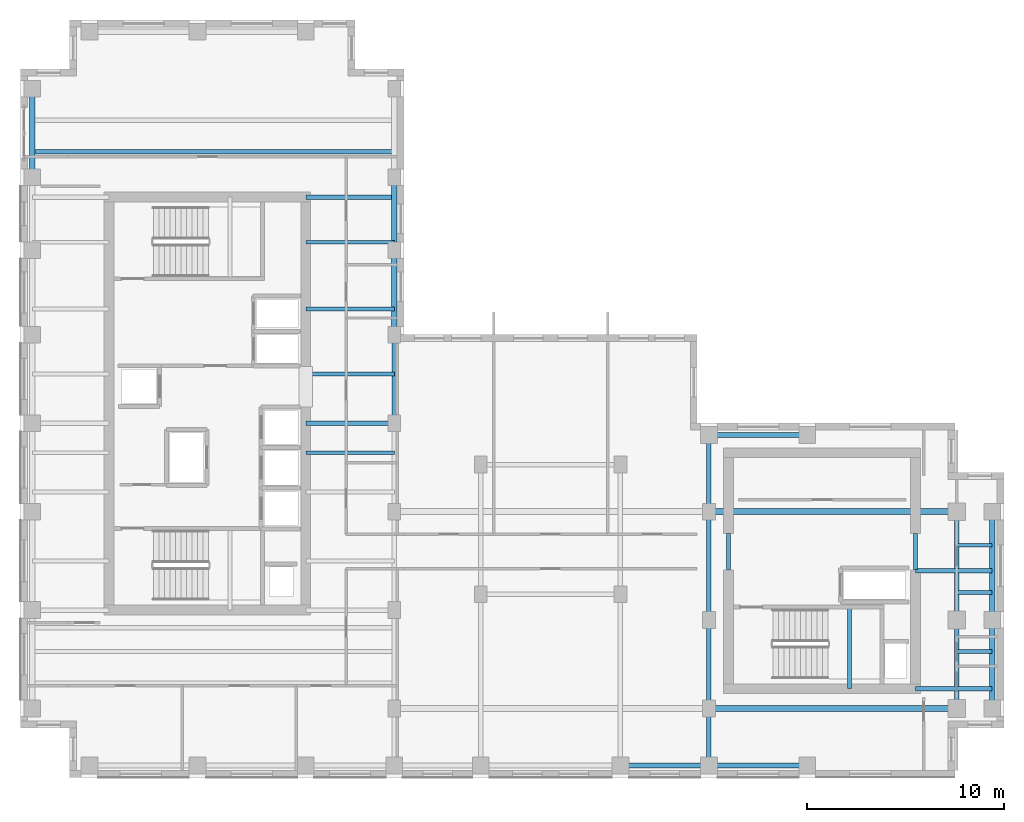
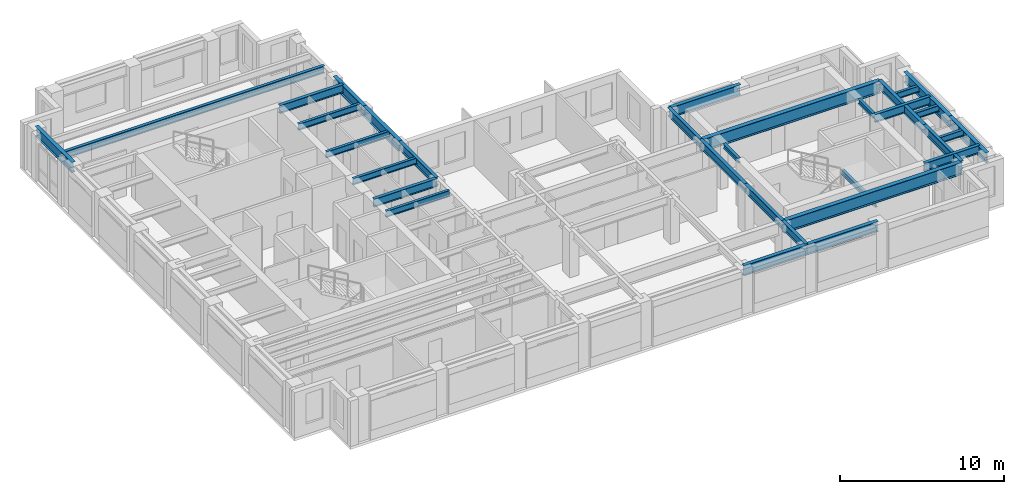
# One storey, part 3 of 12: 32 beams.
"""IFC4 building model written with IfcOpenShell, lengths in metres."""

from ifc_helpers import new_model, si_unit, direction, frame, origin, origin_2d, place, context, subcontext, project, spatial, i_section, extrude, source, transform, mapped, material, material_profile, profile_set, type_object, element, save


model = new_model("IFC4")

# Units and contexts
model_context = context("Model", 3, precision=1e-05, world=origin(), true_north=direction((0.0, 1.0)))
body_context = subcontext(model_context, "Body", "Model", "MODEL_VIEW")
ifc_project = project(units=[si_unit("LENGTHUNIT", "METRE"), si_unit("AREAUNIT", "SQUARE_METRE"), si_unit("VOLUMEUNIT", "CUBIC_METRE"), si_unit("PLANEANGLEUNIT", "RADIAN"), si_unit("MASSUNIT", "GRAM", prefix="KILO")], contexts=[model_context])

# Site, building, storey
site_placement = place(None, origin())
site = spatial("IfcSite", under=ifc_project, at=site_placement, CompositionType="ELEMENT")
building_placement = place(site_placement, origin())
building = spatial("IfcBuilding", under=site, at=building_placement, Name="Kharzan Plaza Tower", CompositionType="ELEMENT")
storey_placement = place(building_placement, frame((0.0, 0.0, 255.60009765625)))
storey = spatial("IfcBuildingStorey", under=building, at=storey_placement, Name="L69", CompositionType="ELEMENT", Elevation=255.60009765625)

# Beams
ifc_material = material(Name="Steel S355", Category="steel")
ifc_material_profile_1 = material_profile(ifc_material, i_section(OverallWidth=0.205078125, OverallDepth=0.35400390625, WebThickness=0.009521484375, FlangeThickness=0.016845703125, at=origin_2d()), Name="W360x79")
ifc_profile_set_1 = profile_set([ifc_material_profile_1], Name="Steel S355")
beam_type_1 = type_object("IfcBeamType", Name="BM-LNT360", PredefinedType="LINTEL", material=ifc_profile_set_1)
shared_shape_1 = source(origin(), body_context, "Body", "SweptSolid", [
    extrude(i_section(OverallWidth=0.205078125, OverallDepth=0.35400390625, WebThickness=0.009521484375, FlangeThickness=0.016845703125, at=origin_2d()), origin(), (0.0, 0.0, 1.0), 1.849853515625),
])
for number, where, z_axis, x_axis, name in (
    (1, (45.5, 10.550048828125, 3.222900390625), (0.0, 1.0, 0.0), (-1.0, 0.0, 0.0), "L69 CORE-B coupling lintel LN1-WE"),
    (2, (36.0, 10.550048828125, 3.222900390625), (0.0, 1.0, 0.0), (-1.0, 0.0, 0.0), "L69 CORE-B coupling lintel LN1-WW"),
):
    element("IfcBeam", number, at=place(storey_placement, frame(where, z_axis=z_axis, x_axis=x_axis)), inside=storey, type_object=beam_type_1, Name=name, PredefinedType="LINTEL", context=body_context, shape_type="MappedRepresentation", body=[
        mapped(shared_shape_1, transform((0.0, 0.0, 0.0), x_axis=(1.0, 0.0, 0.0), y_axis=(0.0, 1.0, 0.0), z_axis=(0.0, 0.0, 1.0))),
    ])
shared_shape_2 = source(origin(), body_context, "Body", "SweptSolid", [
    extrude(i_section(OverallWidth=0.205078125, OverallDepth=0.35400390625, WebThickness=0.009521484375, FlangeThickness=0.016845703125, at=origin_2d()), origin(), (0.0, 0.0, 1.0), 4.155029296875),
])
beam_1_placement = place(storey_placement, frame((42.14990234375, 4.5, 1.4228515625), z_axis=(0.0, 1.0, 0.0), x_axis=(-1.0, 0.0, 0.0)))
element("IfcBeam", 3, at=beam_1_placement, inside=storey, type_object=beam_type_1, Name="L69 Stair ST-3 Half-Landing Beam", PredefinedType="LINTEL", context=body_context, shape_type="MappedRepresentation", body=[
    mapped(shared_shape_2, transform((0.0, 0.0, 0.0), x_axis=(1.0, 0.0, 0.0), y_axis=(0.0, 1.0, 0.0), z_axis=(0.0, 0.0, 1.0))),
])
ifc_material_profile_2 = material_profile(ifc_material, i_section(OverallWidth=0.304931640625, OverallDepth=0.9189453125, WebThickness=0.017333984375, FlangeThickness=0.02783203125, at=origin_2d()), Name="W920x253")
ifc_profile_set_2 = profile_set([ifc_material_profile_2], Name="Steel S355")
beam_type_2 = type_object("IfcBeamType", Name="BM-FG920B", PredefinedType="BEAM", material=ifc_profile_set_2)
shared_shape_3 = source(origin(), body_context, "Body", "SweptSolid", [
    extrude(i_section(OverallWidth=0.304931640625, OverallDepth=0.9189453125, WebThickness=0.017333984375, FlangeThickness=0.02783203125, at=origin_2d()), origin(), (0.0, 0.0, 1.0), 12.60009765625),
])
for number, where, z_axis, x_axis, name in (
    (4, (35.0, 3.5, 2.9404296875), (1.0, 0.0, 0.0), (0.0, 1.0, 0.0), "L69 Primary Floor Girder"),
    (5, (35.0, 13.5, 2.9404296875), (1.0, 0.0, 0.0), (0.0, 1.0, 0.0), "L69 Primary Floor Girder"),
):
    element("IfcBeam", number, at=place(storey_placement, frame(where, z_axis=z_axis, x_axis=x_axis)), inside=storey, type_object=beam_type_2, Name=name, PredefinedType="BEAM", context=body_context, shape_type="MappedRepresentation", body=[
        mapped(shared_shape_3, transform((0.0, 0.0, 0.0), x_axis=(1.0, 0.0, 0.0), y_axis=(0.0, 1.0, 0.0), z_axis=(0.0, 0.0, 1.0))),
    ])
ifc_material_profile_3 = material_profile(ifc_material, i_section(OverallWidth=0.2099609375, OverallDepth=0.537109375, WebThickness=0.010986328125, FlangeThickness=0.017333984375, at=origin_2d()), Name="W530x101")
ifc_profile_set_3 = profile_set([ifc_material_profile_3], Name="Steel S355")
beam_type_3 = type_object("IfcBeamType", Name="BM-JST530B", PredefinedType="JOIST", material=ifc_profile_set_3)
shared_shape_4 = source(origin(), body_context, "Body", "SweptSolid", [
    extrude(i_section(OverallWidth=0.2099609375, OverallDepth=0.537109375, WebThickness=0.010986328125, FlangeThickness=0.017333984375, at=origin_2d()), origin(), (0.0, 0.0, 1.0), 18.39990234375),
])
beam_2_placement = place(storey_placement, frame((0.60009765625, 31.800048828125, 3.13134765625), z_axis=(1.0, 0.0, 0.0), x_axis=(0.0, 1.0, 0.0)))
element("IfcBeam", 6, at=beam_2_placement, inside=storey, type_object=beam_type_3, Name="L69 Wing A Composite Joist 04", PredefinedType="JOIST", context=body_context, shape_type="MappedRepresentation", body=[
    mapped(shared_shape_4, transform((0.0, 0.0, 0.0), x_axis=(1.0, 0.0, 0.0), y_axis=(0.0, 1.0, 0.0), z_axis=(0.0, 0.0, 1.0))),
])
ifc_material_profile_4 = material_profile(ifc_material, i_section(OverallWidth=0.194091796875, OverallDepth=0.468994140625, WebThickness=0.011474609375, FlangeThickness=0.0205078125, at=origin_2d()), Name="W460x106")
ifc_profile_set_4 = profile_set([ifc_material_profile_4], Name="Steel S355")
beam_type_4 = type_object("IfcBeamType", Name="BM-JST460", PredefinedType="JOIST", material=ifc_profile_set_4)
shared_shape_5 = source(origin(), body_context, "Body", "SweptSolid", [
    extrude(i_section(OverallWidth=0.194091796875, OverallDepth=0.468994140625, WebThickness=0.011474609375, FlangeThickness=0.0205078125, at=origin_2d()), origin(), (0.0, 0.0, 1.0), 4.5),
])
for number, where, z_axis, x_axis, name in (
    (7, (14.5, 16.5, 3.165283203125), (1.0, 0.0, 0.0), (0.0, 1.0, 0.0), "L69 Wing A East Infill Joist 3"),
    (8, (14.5, 20.5, 3.165283203125), (1.0, 0.0, 0.0), (0.0, 1.0, 0.0), "L69 Wing A East Infill Joist 4"),
    (9, (14.5, 23.800048828125, 3.165283203125), (1.0, 0.0, 0.0), (0.0, 1.0, 0.0), "L69 Wing A East Infill Joist 5"),
    (10, (14.5, 27.199951171875, 3.165283203125), (1.0, 0.0, 0.0), (0.0, 1.0, 0.0), "L69 Wing A East Infill Joist 6"),
):
    element("IfcBeam", number, at=place(storey_placement, frame(where, z_axis=z_axis, x_axis=x_axis)), inside=storey, type_object=beam_type_4, Name=name, PredefinedType="JOIST", context=body_context, shape_type="MappedRepresentation", body=[
        mapped(shared_shape_5, transform((0.0, 0.0, 0.0), x_axis=(1.0, 0.0, 0.0), y_axis=(0.0, 1.0, 0.0), z_axis=(0.0, 0.0, 1.0))),
    ])
ifc_material_profile_5 = material_profile(ifc_material, i_section(OverallWidth=0.22900390625, OverallDepth=0.612060546875, WebThickness=0.011962890625, FlangeThickness=0.01953125, at=origin_2d()), Name="W610x125")
ifc_profile_set_5 = profile_set([ifc_material_profile_5], Name="Steel S355")
beam_type_5 = type_object("IfcBeamType", Name="BM-FG610B", PredefinedType="BEAM", material=ifc_profile_set_5)
shared_shape_6 = source(origin(), body_context, "Body", "SweptSolid", [
    extrude(i_section(OverallWidth=0.22900390625, OverallDepth=0.612060546875, WebThickness=0.011962890625, FlangeThickness=0.01953125, at=origin_2d()), origin(), (0.0, 0.0, 1.0), 4.5),
])
for number, where, z_axis, x_axis, name in (
    (11, (14.5, 18.0, 3.093994140625), (1.0, 0.0, 0.0), (0.0, 1.0, 0.0), "L69 Core-A East Floor Girder 2"),
    (12, (14.5, 29.5, 3.093994140625), (1.0, 0.0, 0.0), (0.0, 1.0, 0.0), "L69 Core-A East Floor Girder 3"),
    (13, (19.0, 18.0, 3.093994140625), (0.0, 1.0, 0.0), (-1.0, 0.0, 0.0), "L69 Interior Frame Girder"),
    (14, (35.0, 3.5, 3.093994140625), (0.0, 1.0, 0.0), (-1.0, 0.0, 0.0), "L69 Interior Frame Girder"),
    (15, (47.60009765625, 3.5, 3.093994140625), (0.0, 1.0, 0.0), (-1.0, 0.0, 0.0), "L69 Interior Frame Girder"),
):
    element("IfcBeam", number, at=place(storey_placement, frame(where, z_axis=z_axis, x_axis=x_axis)), inside=storey, type_object=beam_type_5, Name=name, PredefinedType="BEAM", context=body_context, shape_type="MappedRepresentation", body=[
        mapped(shared_shape_6, transform((0.0, 0.0, 0.0), x_axis=(1.0, 0.0, 0.0), y_axis=(0.0, 1.0, 0.0), z_axis=(0.0, 0.0, 1.0))),
    ])
shared_shape_7 = source(origin(), body_context, "Body", "SweptSolid", [
    extrude(i_section(OverallWidth=0.22900390625, OverallDepth=0.612060546875, WebThickness=0.011962890625, FlangeThickness=0.01953125, at=origin_2d()), origin(), (0.0, 0.0, 1.0), 3.89990234375),
])
for number, where, z_axis, x_axis, name in (
    (16, (45.5, 4.5, 3.093994140625), (1.0, 0.0, 0.0), (0.0, 1.0, 0.0), "L69 Core-B East Floor Girder 1"),
    (17, (45.5, 10.5, 3.093994140625), (1.0, 0.0, 0.0), (0.0, 1.0, 0.0), "L69 Core-B East Floor Girder 2"),
    (18, (35.0, 13.5, 3.093994140625), (0.0, 1.0, 0.0), (-1.0, 0.0, 0.0), "L69 Interior Frame Girder"),
):
    element("IfcBeam", number, at=place(storey_placement, frame(where, z_axis=z_axis, x_axis=x_axis)), inside=storey, type_object=beam_type_5, Name=name, PredefinedType="BEAM", context=body_context, shape_type="MappedRepresentation", body=[
        mapped(shared_shape_7, transform((0.0, 0.0, 0.0), x_axis=(1.0, 0.0, 0.0), y_axis=(0.0, 1.0, 0.0), z_axis=(0.0, 0.0, 1.0))),
    ])
shared_shape_8 = source(origin(), body_context, "Body", "SweptSolid", [
    extrude(i_section(OverallWidth=0.22900390625, OverallDepth=0.612060546875, WebThickness=0.011962890625, FlangeThickness=0.01953125, at=origin_2d()), origin(), (0.0, 0.0, 1.0), 5.5),
])
for number, where, z_axis, x_axis, name in (
    (19, (35.0, 8.0, 3.093994140625), (0.0, 1.0, 0.0), (-1.0, 0.0, 0.0), "L69 Interior Frame Girder"),
    (20, (47.60009765625, 8.0, 3.093994140625), (0.0, 1.0, 0.0), (-1.0, 0.0, 0.0), "L69 Interior Frame Girder"),
):
    element("IfcBeam", number, at=place(storey_placement, frame(where, z_axis=z_axis, x_axis=x_axis)), inside=storey, type_object=beam_type_5, Name=name, PredefinedType="BEAM", context=body_context, shape_type="MappedRepresentation", body=[
        mapped(shared_shape_8, transform((0.0, 0.0, 0.0), x_axis=(1.0, 0.0, 0.0), y_axis=(0.0, 1.0, 0.0), z_axis=(0.0, 0.0, 1.0))),
    ])
shared_shape_9 = source(origin(), body_context, "Body", "SweptSolid", [
    extrude(i_section(OverallWidth=0.22900390625, OverallDepth=0.612060546875, WebThickness=0.011962890625, FlangeThickness=0.01953125, at=origin_2d()), origin(), (0.0, 0.0, 1.0), 2.89990234375),
])
beam_3_placement = place(storey_placement, frame((35.0, 0.60009765625, 3.093994140625), z_axis=(0.0, 1.0, 0.0), x_axis=(-1.0, 0.0, 0.0)))
element("IfcBeam", 21, at=beam_3_placement, inside=storey, type_object=beam_type_5, Name="L69 Interior Frame Girder", PredefinedType="BEAM", context=body_context, shape_type="MappedRepresentation", body=[
    mapped(shared_shape_9, transform((0.0, 0.0, 0.0), x_axis=(1.0, 0.0, 0.0), y_axis=(0.0, 1.0, 0.0), z_axis=(0.0, 0.0, 1.0))),
])
shared_shape_10 = source(origin(), body_context, "Body", "SweptSolid", [
    extrude(i_section(OverallWidth=0.194091796875, OverallDepth=0.468994140625, WebThickness=0.011474609375, FlangeThickness=0.0205078125, at=origin_2d()), origin(), (0.0, 0.0, 1.0), 1.7998046875),
])
for number, where, z_axis, x_axis, name in (
    (22, (47.60009765625, 6.39990234375, 3.165283203125), (1.0, 0.0, 0.0), (0.0, 1.0, 0.0), "L69 Wing B Composite Joist 02"),
    (23, (47.60009765625, 9.39990234375, 3.165283203125), (1.0, 0.0, 0.0), (0.0, 1.0, 0.0), "L69 Wing B Composite Joist 03"),
    (24, (47.60009765625, 11.800048828125, 3.165283203125), (1.0, 0.0, 0.0), (0.0, 1.0, 0.0), "L69 Wing B Composite Joist 04"),
):
    element("IfcBeam", number, at=place(storey_placement, frame(where, z_axis=z_axis, x_axis=x_axis)), inside=storey, type_object=beam_type_4, Name=name, PredefinedType="JOIST", context=body_context, shape_type="MappedRepresentation", body=[
        mapped(shared_shape_10, transform((0.0, 0.0, 0.0), x_axis=(1.0, 0.0, 0.0), y_axis=(0.0, 1.0, 0.0), z_axis=(0.0, 0.0, 1.0))),
    ])
ifc_material_profile_6 = material_profile(ifc_material, i_section(OverallWidth=0.26708984375, OverallDepth=0.76611328125, WebThickness=0.014892578125, FlangeThickness=0.023681640625, at=origin_2d()), Name="W760x185")
ifc_profile_set_6 = profile_set([ifc_material_profile_6], Name="Steel S355")
beam_type_6 = type_object("IfcBeamType", Name="BM-SP760B", PredefinedType="SPANDREL", material=ifc_profile_set_6)
shared_shape_11 = source(origin(), body_context, "Body", "SweptSolid", [
    extrude(i_section(OverallWidth=0.26708984375, OverallDepth=0.76611328125, WebThickness=0.014892578125, FlangeThickness=0.023681640625, at=origin_2d()), origin(), (0.0, 0.0, 1.0), 5.0),
])
for number, where, z_axis, x_axis, name in (
    (25, (35.0, 0.60009765625, 3.016845703125), (1.0, 0.0, 0.0), (0.0, 1.0, 0.0), "L69 Perimeter Tube Spandrel"),
    (26, (35.0, 17.39990234375, 3.016845703125), (1.0, 0.0, 0.0), (0.0, 1.0, 0.0), "L69 Perimeter Tube Spandrel"),
):
    element("IfcBeam", number, at=place(storey_placement, frame(where, z_axis=z_axis, x_axis=x_axis)), inside=storey, type_object=beam_type_6, Name=name, PredefinedType="SPANDREL", context=body_context, shape_type="MappedRepresentation", body=[
        mapped(shared_shape_11, transform((0.0, 0.0, 0.0), x_axis=(1.0, 0.0, 0.0), y_axis=(0.0, 1.0, 0.0), z_axis=(0.0, 0.0, 1.0))),
    ])
shared_shape_12 = source(origin(), body_context, "Body", "SweptSolid", [
    extrude(i_section(OverallWidth=0.26708984375, OverallDepth=0.76611328125, WebThickness=0.014892578125, FlangeThickness=0.023681640625, at=origin_2d()), origin(), (0.0, 0.0, 1.0), 4.5),
])
for number, where, z_axis, x_axis, name in (
    (27, (0.60009765625, 30.5, 3.016845703125), (0.0, 1.0, 0.0), (-1.0, 0.0, 0.0), "L69 Perimeter Tube Spandrel"),
    (28, (49.39990234375, 3.5, 3.016845703125), (0.0, 1.0, 0.0), (-1.0, 0.0, 0.0), "L69 Perimeter Tube Spandrel"),
    (29, (30.5, 0.60009765625, 3.016845703125), (1.0, 0.0, 0.0), (0.0, 1.0, 0.0), "L69 Perimeter Tube Spandrel"),
):
    element("IfcBeam", number, at=place(storey_placement, frame(where, z_axis=z_axis, x_axis=x_axis)), inside=storey, type_object=beam_type_6, Name=name, PredefinedType="SPANDREL", context=body_context, shape_type="MappedRepresentation", body=[
        mapped(shared_shape_12, transform((0.0, 0.0, 0.0), x_axis=(1.0, 0.0, 0.0), y_axis=(0.0, 1.0, 0.0), z_axis=(0.0, 0.0, 1.0))),
    ])
shared_shape_13 = source(origin(), body_context, "Body", "SweptSolid", [
    extrude(i_section(OverallWidth=0.26708984375, OverallDepth=0.76611328125, WebThickness=0.014892578125, FlangeThickness=0.023681640625, at=origin_2d()), origin(), (0.0, 0.0, 1.0), 4.300048828125),
])
beam_4_placement = place(storey_placement, frame((19.0, 22.5, 3.016845703125), z_axis=(0.0, 1.0, 0.0), x_axis=(-1.0, 0.0, 0.0)))
element("IfcBeam", 30, at=beam_4_placement, inside=storey, type_object=beam_type_6, Name="L69 Perimeter Tube Spandrel", PredefinedType="SPANDREL", context=body_context, shape_type="MappedRepresentation", body=[
    mapped(shared_shape_13, transform((0.0, 0.0, 0.0), x_axis=(1.0, 0.0, 0.0), y_axis=(0.0, 1.0, 0.0), z_axis=(0.0, 0.0, 1.0))),
])
shared_shape_14 = source(origin(), body_context, "Body", "SweptSolid", [
    extrude(i_section(OverallWidth=0.26708984375, OverallDepth=0.76611328125, WebThickness=0.014892578125, FlangeThickness=0.023681640625, at=origin_2d()), origin(), (0.0, 0.0, 1.0), 3.699951171875),
])
beam_5_placement = place(storey_placement, frame((19.0, 26.800048828125, 3.016845703125), z_axis=(0.0, 1.0, 0.0), x_axis=(-1.0, 0.0, 0.0)))
element("IfcBeam", 31, at=beam_5_placement, inside=storey, type_object=beam_type_6, Name="L69 Perimeter Tube Spandrel", PredefinedType="SPANDREL", context=body_context, shape_type="MappedRepresentation", body=[
    mapped(shared_shape_14, transform((0.0, 0.0, 0.0), x_axis=(1.0, 0.0, 0.0), y_axis=(0.0, 1.0, 0.0), z_axis=(0.0, 0.0, 1.0))),
])
shared_shape_15 = source(origin(), body_context, "Body", "SweptSolid", [
    extrude(i_section(OverallWidth=0.26708984375, OverallDepth=0.76611328125, WebThickness=0.014892578125, FlangeThickness=0.023681640625, at=origin_2d()), origin(), (0.0, 0.0, 1.0), 5.5),
])
beam_6_placement = place(storey_placement, frame((49.39990234375, 8.0, 3.016845703125), z_axis=(0.0, 1.0, 0.0), x_axis=(-1.0, 0.0, 0.0)))
element("IfcBeam", 32, at=beam_6_placement, inside=storey, type_object=beam_type_6, Name="L69 Perimeter Tube Spandrel", PredefinedType="SPANDREL", context=body_context, shape_type="MappedRepresentation", body=[
    mapped(shared_shape_15, transform((0.0, 0.0, 0.0), x_axis=(1.0, 0.0, 0.0), y_axis=(0.0, 1.0, 0.0), z_axis=(0.0, 0.0, 1.0))),
])

save(model, "model.ifc")
